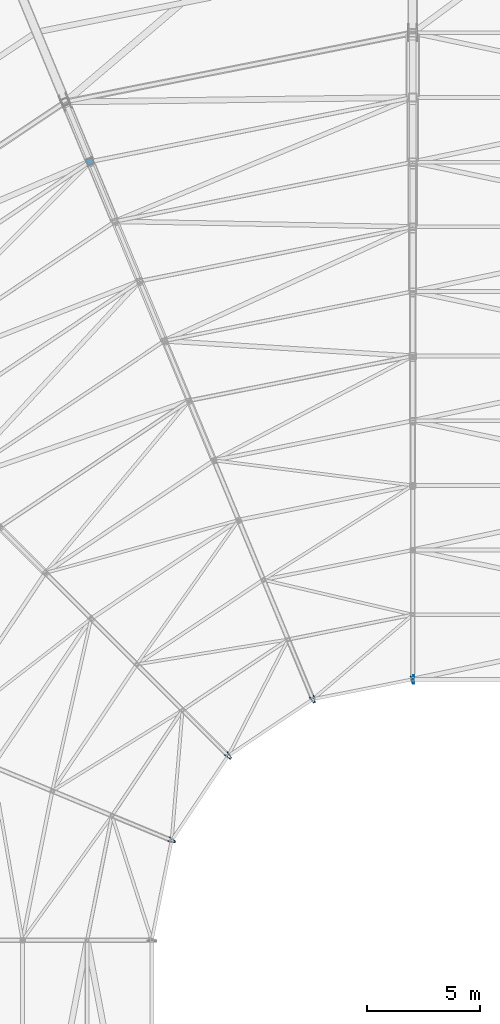
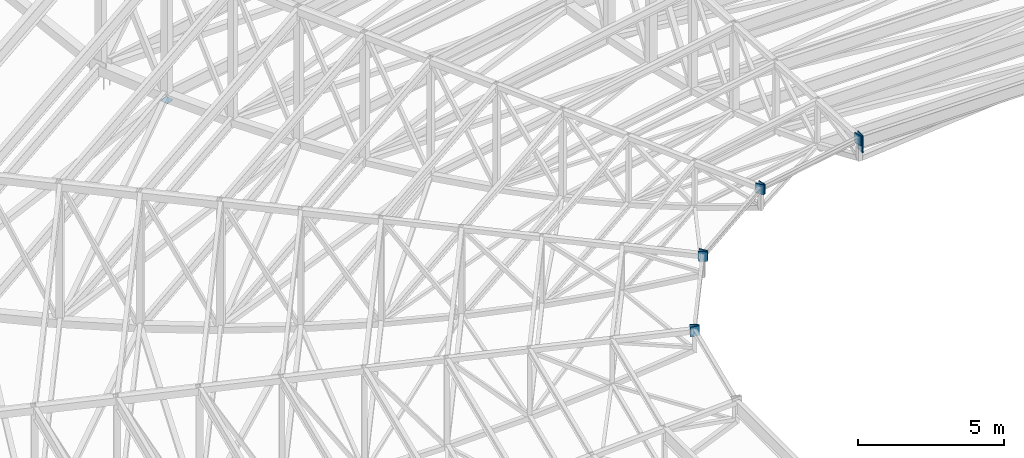
# One storey, part 221 of 278: 9 discrete accessories.
"""IFC4 building model written with IfcOpenShell, lengths in metres."""

import ifcopenshell
import ifcopenshell.guid

model = None  # the IFC model being written
_history = None  # IfcOwnerHistory: only IFC2X3 demands one
_inside = {}  # id of a spatial element -> (the spatial element, [elements in it])
_under = {}  # id of a project, library or spatial element -> (it, [spatial elements below it])
_declared = {}  # id of a project -> (the project, [libraries it declares])
_typed = {}  # id of a type object -> (the type object, [elements of that type])
_made_of = {}  # id of a material, layer set ... -> (it, [elements and type objects made of it])


def new_model(schema):
    """Start an empty IFC model of exactly this schema.

    Asked for "IFC4X3", IfcOpenShell would pick the latest addendum, in which some entities
    have other attributes; the version numbers below select the first issue.
    IFC2X3 requires an IfcOwnerHistory on every rooted entity: one is made here for all.
    """
    global model, _history
    if schema == "IFC4X3":
        model = ifcopenshell.file(schema_version=(4, 3, 0, 0))
    else:
        model = ifcopenshell.file(schema=schema)
    _inside.clear()
    _under.clear()
    _declared.clear()
    _typed.clear()
    _made_of.clear()
    _history = None
    if model.schema == "IFC2X3":
        org = make("IfcOrganization", Name="unknown")
        user = make(
            "IfcPersonAndOrganization",
            ThePerson=make("IfcPerson", FamilyName="unknown"),
            TheOrganization=org,
        )
        app = make(
            "IfcApplication",
            ApplicationDeveloper=org,
            Version="unknown",
            ApplicationFullName="unknown",
            ApplicationIdentifier="unknown",
        )
        _history = make(
            "IfcOwnerHistory",
            OwningUser=user,
            OwningApplication=app,
            ChangeAction="ADDED",
            CreationDate=0,
        )
    return model


def make(cls, **values):
    """One entity of the class cls with the attributes given. An attribute that is None is left unset."""
    return model.create_entity(
        cls, **{name: value for name, value in values.items() if value is not None}
    )


def rooted(cls, **values):
    """An entity with a GlobalId (a new one), such as an element, a storey or a relation."""
    return make(cls, GlobalId=ifcopenshell.guid.new(), OwnerHistory=_history, **values)


def si_unit(unit_type, name, prefix=None):
    """IfcSIUnit, for example si_unit("LENGTHUNIT", "METRE", prefix="MILLI")."""
    return make("IfcSIUnit", UnitType=unit_type, Prefix=prefix, Name=name)


def assignment(units):
    """IfcUnitAssignment: the units of a project."""
    return None if units is None else make("IfcUnitAssignment", Units=units)


def point(xyz):
    """IfcCartesianPoint."""
    return None if xyz is None else make("IfcCartesianPoint", Coordinates=xyz)


def direction(xyz):
    """IfcDirection."""
    return None if xyz is None else make("IfcDirection", DirectionRatios=xyz)


def frame(location, z_axis=None, x_axis=None):
    """IfcAxis2Placement3D, a coordinate frame: its origin and axes. An axis left out is left unset."""
    return make(
        "IfcAxis2Placement3D",
        Location=point(location),
        Axis=direction(z_axis),
        RefDirection=direction(x_axis),
    )


def frame_2d(location, x_axis=None):
    """IfcAxis2Placement2D, a coordinate frame in the plane: its origin and x axis."""
    return make(
        "IfcAxis2Placement2D", Location=point(location), RefDirection=direction(x_axis)
    )


def origin():
    """The frame at (0, 0, 0) with its axes left unset."""
    return frame((0.0, 0.0, 0.0))


def origin_2d():
    """The frame at (0, 0) in the plane with its x axis left unset."""
    return frame_2d((0.0, 0.0))


def place(relative_to, where):
    """IfcLocalPlacement: puts the frame where relative to a parent placement (None: the world)."""
    return make(
        "IfcLocalPlacement", PlacementRelTo=relative_to, RelativePlacement=where
    )


def context(
    kind, dimensions, precision=None, world=None, true_north=None, identifier=None
):
    """IfcGeometricRepresentationContext, for example the 3D "Model" context."""
    return make(
        "IfcGeometricRepresentationContext",
        ContextIdentifier=identifier,
        ContextType=kind,
        CoordinateSpaceDimension=dimensions,
        Precision=precision,
        WorldCoordinateSystem=world,
        TrueNorth=true_north,
    )


def subcontext(parent, identifier, kind, view, scale=None):
    """IfcGeometricRepresentationSubContext, for example "Body" below "Model"."""
    return make(
        "IfcGeometricRepresentationSubContext",
        ContextIdentifier=identifier,
        ContextType=kind,
        ParentContext=parent,
        TargetScale=scale,
        TargetView=view,
    )


def project(units=None, contexts=None):
    """IfcProject with its units and contexts."""
    return rooted(
        "IfcProject",
        Name="project",
        RepresentationContexts=contexts,
        UnitsInContext=assignment(units),
    )


def spatial(cls, under=None, at=None, **own):
    """A site, building, storey or space (cls), placed at a placement, below another one or the project."""
    s = rooted(cls, ObjectPlacement=at, **own)
    if under is not None:
        _under.setdefault(under.id(), (under, []))[1].append(s)
    return s


def profile(cls, at=None, kind="AREA", **sizes):
    """A parametric profile (cls). Its sizes go by their IFC names, for example OverallWidth=200.0."""
    return make(cls, ProfileType=kind, Position=at, **sizes)


def rectangle(**sizes):
    """IfcRectangleProfileDef."""
    return profile("IfcRectangleProfileDef", **sizes)


def extrude(swept, where, along, depth):
    """IfcExtrudedAreaSolid: the profile swept, set in the frame where, extruded along a direction by depth."""
    return make(
        "IfcExtrudedAreaSolid",
        SweptArea=swept,
        Position=where,
        ExtrudedDirection=direction(along),
        Depth=depth,
    )


def shape(context_of_items, identifier, shape_type, items):
    """IfcShapeRepresentation: the items that make up one representation, for example the "Body"."""
    return make(
        "IfcShapeRepresentation",
        ContextOfItems=context_of_items,
        RepresentationIdentifier=identifier,
        RepresentationType=shape_type,
        Items=items,
    )


def material(Name=None, Category=None):
    """IfcMaterial."""
    return make("IfcMaterial", Name=Name, Category=Category)


def layer(
    of_material, thickness, ventilated=None, Name=None, Category=None, Priority=None
):
    """IfcMaterialLayer: one layer of a wall or slab, of a material (None: an air gap)."""
    return make(
        "IfcMaterialLayer",
        Material=of_material,
        LayerThickness=thickness,
        IsVentilated=ventilated,
        Name=Name,
        Category=Category,
        Priority=Priority,
    )


def layer_set(layers, Name=None):
    """IfcMaterialLayerSet."""
    return make("IfcMaterialLayerSet", MaterialLayers=layers, LayerSetName=Name)


def made_of(thing, what):
    """Note that an element or type object is made of a material, layer set ...; save() writes the relation."""
    if what is not None:
        _made_of.setdefault(what.id(), (what, []))[1].append(thing)
    return thing


def type_object(cls, material=None, **own):
    """A type object (cls), such as IfcWallType, which elements share."""
    return made_of(rooted(cls, **own), material)


def element(
    cls,
    number,
    at=None,
    inside=None,
    cuts=None,
    type_object=None,
    material=None,
    context=None,
    identifier="Body",
    shape_type=None,
    held_by="IfcProductDefinitionShape",
    body=None,
    shapes=None,
    **own,
):
    """One element of the class cls, such as IfcWall. Its Tag is "e" and its number.

    at: its placement. inside: the storey or other place that contains it. cuts: it is an
    opening in that element (IfcRelVoidsElement). A single representation is given by context,
    identifier, shape_type and body (its items); several are given by shapes. held_by: the class
    of the entity that holds the representations. save() writes the other relations.
    """
    e = rooted(cls, Tag="e%d" % number, ObjectPlacement=at, **own)
    if body is not None:
        shapes = [shape(context, identifier, shape_type, body)]
    if shapes is not None:
        e.Representation = make(held_by, Representations=shapes)
    if inside is not None:
        _inside.setdefault(inside.id(), (inside, []))[1].append(e)
    if cuts is not None:
        rooted(
            "IfcRelVoidsElement", RelatingBuildingElement=cuts, RelatedOpeningElement=e
        )
    if type_object is not None:
        _typed.setdefault(type_object.id(), (type_object, []))[1].append(e)
    return made_of(e, material)


def aggregate(whole, parts):
    """IfcRelAggregates: a whole, such as a stair, and the parts it consists of."""
    return rooted("IfcRelAggregates", RelatingObject=whole, RelatedObjects=parts)


def save(model, path):
    """Write the relations noted so far, then the file.

    IfcRelAggregates (storeys below a building ...), IfcRelContainedInSpatialStructure (elements
    in a storey), IfcRelDefinesByType, IfcRelAssociatesMaterial and IfcRelDeclares: one each for
    every whole, place, type object, material and project.
    """
    for whole, parts in _under.values():
        aggregate(whole, parts)
    for where, things in _inside.values():
        rooted(
            "IfcRelContainedInSpatialStructure",
            RelatedElements=things,
            RelatingStructure=where,
        )
    for kind, things in _typed.values():
        rooted("IfcRelDefinesByType", RelatedObjects=things, RelatingType=kind)
    for what, things in _made_of.values():
        rooted("IfcRelAssociatesMaterial", RelatedObjects=things, RelatingMaterial=what)
    for by, libraries in _declared.values():
        rooted("IfcRelDeclares", RelatingContext=by, RelatedDefinitions=libraries)
    model.write(path)


model = new_model("IFC4")

# Units and contexts
model_context = context("Model", 3, precision=1e-05, world=origin(), true_north=direction((0.0, 1.0)))
body_context = subcontext(model_context, "Body", "Model", "MODEL_VIEW")
ifc_project = project(units=[si_unit("LENGTHUNIT", "METRE"), si_unit("AREAUNIT", "SQUARE_METRE"), si_unit("VOLUMEUNIT", "CUBIC_METRE"), si_unit("PLANEANGLEUNIT", "RADIAN"), si_unit("MASSUNIT", "GRAM", prefix="KILO")], contexts=[model_context])

# Site, building, storey
site_placement = place(None, origin())
site = spatial("IfcSite", under=ifc_project, at=site_placement, CompositionType="ELEMENT")
building_placement = place(site_placement, origin())
building = spatial("IfcBuilding", under=site, at=building_placement, Name="Ogive Plaza Stadium", CompositionType="ELEMENT")
storey_placement = place(building_placement, frame((0.0, 0.0, 29.0)))
storey = spatial("IfcBuildingStorey", under=building, at=storey_placement, Name="Roof", CompositionType="ELEMENT", Elevation=29.0)

# Discrete accessories
ifc_material_1 = material(Name="Steel ASTM A992 Grade 50", Category="steel")
ifc_layer_1 = layer(ifc_material_1, 0.030029296875)
ifc_layer_set_1 = layer_set([ifc_layer_1], Name="Steel ASTM A992 Grade 50")
discrete_accessory_type_1 = type_object("IfcDiscreteAccessoryType", Name="Ring beam end plate 30", PredefinedType="ANCHORPLATE", material=ifc_layer_set_1)
for number, where, z_axis, x_axis, name in (
    (1, (-44.636474609375, 56.841064453125, 7.1181640625), (0.0, 0.0, 1.0), (0.195090321862, 0.980785280434, 0.0), "RING BEAM END PLATE B28 2"),
    (2, (-44.5908203125, 56.951416015625, 7.1181640625), (0.0, 0.0, 1.0), (0.555570232976, 0.831469612332, 0.0), "RING BEAM END PLATE B29 1"),
    (3, (-42.16552734375, 60.5810546875, 7.1181640625), (0.0, 0.0, 1.0), (0.555570232976, 0.831469612332, 0.0), "RING BEAM END PLATE B29 2"),
    (4, (-42.0810546875, 60.66552734375, 7.1181640625), (0.0, 0.0, 1.0), (0.831469612332, 0.555570232976, 0.0), "RING BEAM END PLATE B30 1"),
    (5, (-38.451416015625, 63.0908203125, 7.1181640625), (0.0, 0.0, 1.0), (0.831469612332, 0.555570232976, 0.0), "RING BEAM END PLATE B30 2"),
    (6, (-38.341064453125, 63.136474609375, 7.1181640625), (0.0, 0.0, 1.0), (0.980785280434, 0.195090321862, 0.0), "RING BEAM END PLATE B31 1"),
    (7, (-34.059814453125, 63.988037109375, 7.1181640625), (0.0, 0.0, 1.0), (0.980785280434, 0.195090321862, 0.0), "RING BEAM END PLATE B31 2"),
):
    element("IfcDiscreteAccessory", number, at=place(storey_placement, frame(where, z_axis=z_axis, x_axis=x_axis)), inside=storey, type_object=discrete_accessory_type_1, Name=name, PredefinedType="ANCHORPLATE", context=body_context, shape_type="SweptSolid", body=[
        extrude(rectangle(XDim=0.030029296875, YDim=0.33349609375, at=origin_2d()), origin(), (0.0, 0.0, 1.0), 0.40673828125),
    ])
discrete_accessory_1_placement = place(storey_placement, frame((-33.953857421875, 64.0, 6.80029296875), z_axis=(0.0, 0.0, 1.0), x_axis=(1.0, 0.0, 0.0)))
element("IfcDiscreteAccessory", 8, at=discrete_accessory_1_placement, inside=storey, type_object=discrete_accessory_type_1, Name="RING BEAM END PLATE B32 1", PredefinedType="ANCHORPLATE", context=body_context, shape_type="SweptSolid", body=[
    extrude(rectangle(XDim=0.030029296875, YDim=0.364990234375, at=origin_2d()), origin(), (0.0, 0.0, 1.0), 0.724853515625),
])
ifc_material_2 = material(Name="Steel ASTM A992 Grade 50", Category="steel")
ifc_layer_2 = layer(ifc_material_2, 0.02001953125)
ifc_layer_set_2 = layer_set([ifc_layer_2], Name="Steel ASTM A992 Grade 50")
discrete_accessory_type_2 = type_object("IfcDiscreteAccessoryType", Name="Roof truss post cap plate 20", PredefinedType="ANCHORPLATE", material=ifc_layer_set_2)
discrete_accessory_2_placement = place(storey_placement, frame((-48.216796875, 86.822021484375, 0.04541015625), z_axis=(0.0, 0.0, 1.0), x_axis=(-0.382683432365, 0.923879532511, 0.0)))
element("IfcDiscreteAccessory", 9, at=discrete_accessory_2_placement, inside=storey, type_object=discrete_accessory_type_2, Name="ROOF TRUSS POST CAP PLATE 31 10", PredefinedType="ANCHORPLATE", context=body_context, shape_type="SweptSolid", body=[
    extrude(rectangle(XDim=0.3046875, YDim=0.3046875, at=origin_2d()), origin(), (0.0, 0.0, 1.0), 0.02001953125),
])

save(model, "model.ifc")
